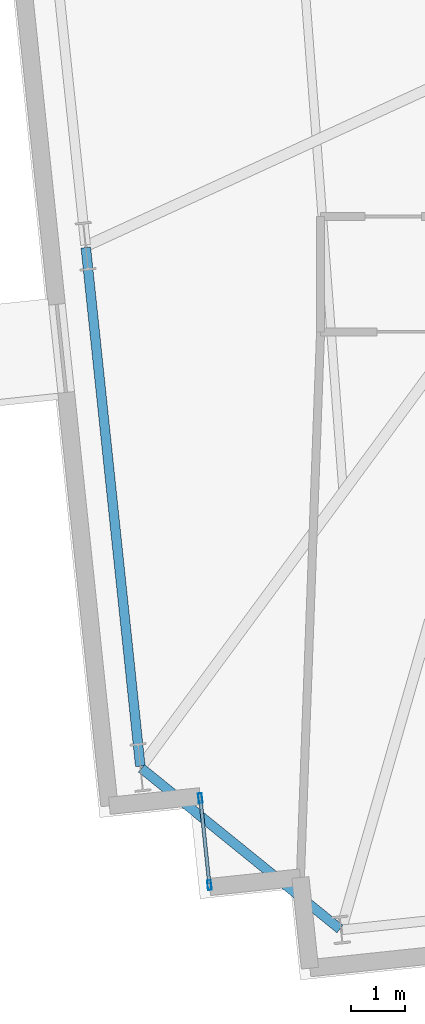
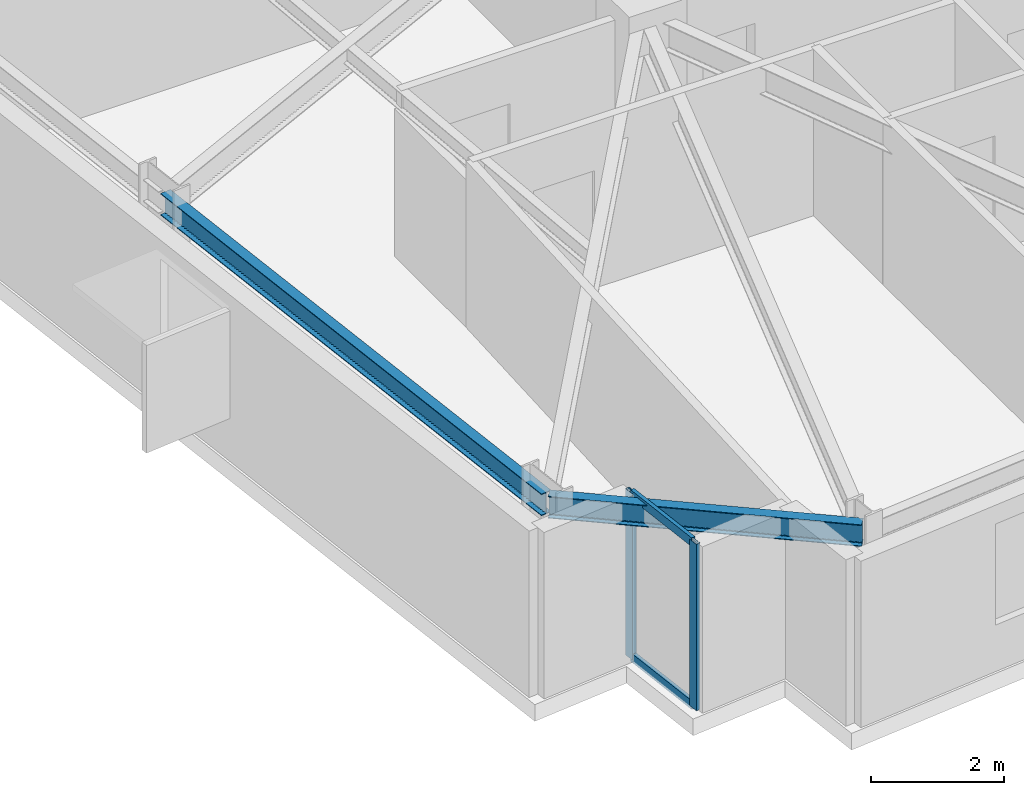
# One storey, part 4 of 18: 4 members, 2 beams, 1 element without a shape of its own.
"""IFC4 building model written with IfcOpenShell, lengths in metres."""

from ifc_helpers import new_model, si_unit, direction, frame, origin, origin_2d, place, context, subcontext, project, spatial, hollow_rectangle, i_section, extrude, material, layer, layer_set, material_profile, profile_set, type_object, element, aggregate, save


model = new_model("IFC4")

# Units and contexts
model_context = context("Model", 3, precision=1e-05, world=origin(), true_north=direction((0.0, 1.0)))
body_context = subcontext(model_context, "Body", "Model", "MODEL_VIEW")
ifc_project = project(units=[si_unit("LENGTHUNIT", "METRE"), si_unit("AREAUNIT", "SQUARE_METRE"), si_unit("VOLUMEUNIT", "CUBIC_METRE"), si_unit("PLANEANGLEUNIT", "RADIAN"), si_unit("MASSUNIT", "GRAM", prefix="KILO")], contexts=[model_context])

# Site, building, storey
site_placement = place(None, origin())
site = spatial("IfcSite", under=ifc_project, at=site_placement, CompositionType="ELEMENT")
building_placement = place(site_placement, origin())
building = spatial("IfcBuilding", under=site, at=building_placement, Name="Qobustan Lattice House", CompositionType="ELEMENT")
storey_placement = place(building_placement, frame((0.0, 0.0, 119.199951171875)))
storey = spatial("IfcBuildingStorey", under=building, at=storey_placement, Name="L33", CompositionType="ELEMENT", Elevation=119.199951171875)

# Beams
ifc_material_1 = material(Name="Steel S355", Category="steel")
ifc_material_profile_1 = material_profile(ifc_material_1, i_section(OverallWidth=0.179931640625, OverallDepth=0.39990234375, WebThickness=0.008544921875, FlangeThickness=0.013427734375, FilletRadius=0.02099609375, at=origin_2d()), Name="IPE400")
ifc_profile_set_1 = profile_set([ifc_material_profile_1], Name="Steel S355")
beam_type = type_object("IfcBeamType", Name="BM-SPD-IPE400", PredefinedType="SPANDREL", material=ifc_profile_set_1)
beam_1_placement = place(storey_placement, frame((-27.37451171875, -6.180908203125, 2.844970703125), z_axis=(0.104527826257, -0.994521962321, 0.0), x_axis=(0.994521962321, 0.104527826257, 0.0)))
element("IfcBeam", 1, at=beam_1_placement, inside=storey, type_object=beam_type, Name="L33 perimeter spandrel W3-W4", PredefinedType="SPANDREL", context=body_context, shape_type="SweptSolid", body=[
    extrude(i_section(OverallWidth=0.179931640625, OverallDepth=0.39990234375, WebThickness=0.008544921875, FlangeThickness=0.013427734375, FilletRadius=0.02099609375, at=origin_2d()), origin(), (0.0, 0.0, 1.0), 9.71630859375),
])
beam_2_placement = place(storey_placement, frame((-26.3369140625, -15.884765625, 2.844970703125), z_axis=(0.777140911545, -0.629326627121, 0.0), x_axis=(0.629326627121, 0.777140911545, 0.0)))
element("IfcBeam", 2, at=beam_2_placement, inside=storey, type_object=beam_type, Name="L33 perimeter spandrel W4-S1", PredefinedType="SPANDREL", context=body_context, shape_type="SweptSolid", body=[
    extrude(i_section(OverallWidth=0.179931640625, OverallDepth=0.39990234375, WebThickness=0.008544921875, FlangeThickness=0.013427734375, FilletRadius=0.02099609375, at=origin_2d()), origin(), (0.0, 0.0, 1.0), 4.758544921875),
])

# Curtain wall, members
ifc_material_2 = material(Name="Anodised aluminium and low-E glazing", Category="aluminium")
ifc_layer = layer(ifc_material_2, 0.219970703125)
ifc_layer_set = layer_set([ifc_layer], Name="Anodised aluminium and low-E glazing")
curtain_wall_type = type_object("IfcCurtainWallType", Name="CW-FAC-01", PredefinedType="USERDEFINED", material=ifc_layer_set)
curtain_wall_placement = place(storey_placement, origin())
curtain_wall = element("IfcCurtainWall", 3, at=curtain_wall_placement, inside=storey, type_object=curtain_wall_type, Name="L33 serrated corner faceted glazing 3", ObjectType="CURTAIN WALL", PredefinedType="USERDEFINED")
ifc_material_3 = material(Name="Anodised aluminium EN AW-6063 T6", Category="aluminium")
ifc_material_profile_2 = material_profile(ifc_material_3, hollow_rectangle(XDim=0.070068359375, YDim=0.179931640625, WallThickness=0.00439453125, at=origin_2d()), Name="CWM-180x70")
ifc_profile_set_2 = profile_set([ifc_material_profile_2], Name="Anodised aluminium EN AW-6063 T6")
member_type_1 = type_object("IfcMemberType", Name="CWM-STD-180", PredefinedType="MULLION", material=ifc_profile_set_2)
member_1_placement = place(storey_placement, frame((-25.070068359375, -18.0615234375, 0.0), z_axis=(0.0, 0.0, 1.0), x_axis=(-0.994521878892, -0.104528620025, 0.0)))
member_1 = element("IfcMember", 4, at=member_1_placement, type_object=member_type_1, Name="CW-F1 mullion 1", PredefinedType="MULLION", context=body_context, shape_type="SweptSolid", body=[
    extrude(hollow_rectangle(XDim=0.070068359375, YDim=0.179931640625, WallThickness=0.00439453125, at=origin_2d()), origin(), (0.0, 0.0, 1.0), 3.045166015625),
])
member_2_placement = place(storey_placement, frame((-25.240234375, -16.4404296875, 0.0), z_axis=(0.0, 0.0, 1.0), x_axis=(-0.994521878892, -0.104528620025, 0.0)))
member_2 = element("IfcMember", 5, at=member_2_placement, type_object=member_type_1, Name="CW-F1 mullion 2", PredefinedType="MULLION", context=body_context, shape_type="SweptSolid", body=[
    extrude(hollow_rectangle(XDim=0.070068359375, YDim=0.179931640625, WallThickness=0.00439453125, at=origin_2d()), origin(), (0.0, 0.0, 1.0), 3.045166015625),
])
ifc_material_4 = material(Name="Anodised aluminium EN AW-6063 T6", Category="aluminium")
ifc_material_profile_3 = material_profile(ifc_material_4, hollow_rectangle(XDim=0.06494140625, YDim=0.159912109375, WallThickness=0.00390625, at=origin_2d()), Name="CWT-160x65")
ifc_profile_set_3 = profile_set([ifc_material_profile_3], Name="Anodised aluminium EN AW-6063 T6")
member_type_2 = type_object("IfcMemberType", Name="CWT-HOR-160", PredefinedType="USERDEFINED", material=ifc_profile_set_3)
member_3_placement = place(storey_placement, frame((-25.07373046875, -18.02685546875, 0.032470703125), z_axis=(-0.104383362594, 0.994537135362, 0.0), x_axis=(-0.994537135362, -0.104383362594, 0.0)))
member_3 = element("IfcMember", 6, at=member_3_placement, type_object=member_type_2, Name="CW-F1 transom 1.1", ObjectType="TRANSOM", PredefinedType="USERDEFINED", context=body_context, shape_type="SweptSolid", body=[
    extrude(hollow_rectangle(XDim=0.06494140625, YDim=0.159912109375, WallThickness=0.00390625, at=origin_2d()), origin(), (0.0, 0.0, 1.0), 1.56005859375),
])
member_4_placement = place(storey_placement, frame((-25.07373046875, -18.02685546875, 3.012451171875), z_axis=(-0.104383362594, 0.994537135362, 0.0), x_axis=(-0.994537135362, -0.104383362594, 0.0)))
member_4 = element("IfcMember", 7, at=member_4_placement, type_object=member_type_2, Name="CW-F1 transom 1.2", ObjectType="TRANSOM", PredefinedType="USERDEFINED", context=body_context, shape_type="SweptSolid", body=[
    extrude(hollow_rectangle(XDim=0.06494140625, YDim=0.159912109375, WallThickness=0.00390625, at=origin_2d()), origin(), (0.0, 0.0, 1.0), 1.56005859375),
])
aggregate(curtain_wall, [member_1, member_2, member_3, member_4])

save(model, "model.ifc")
